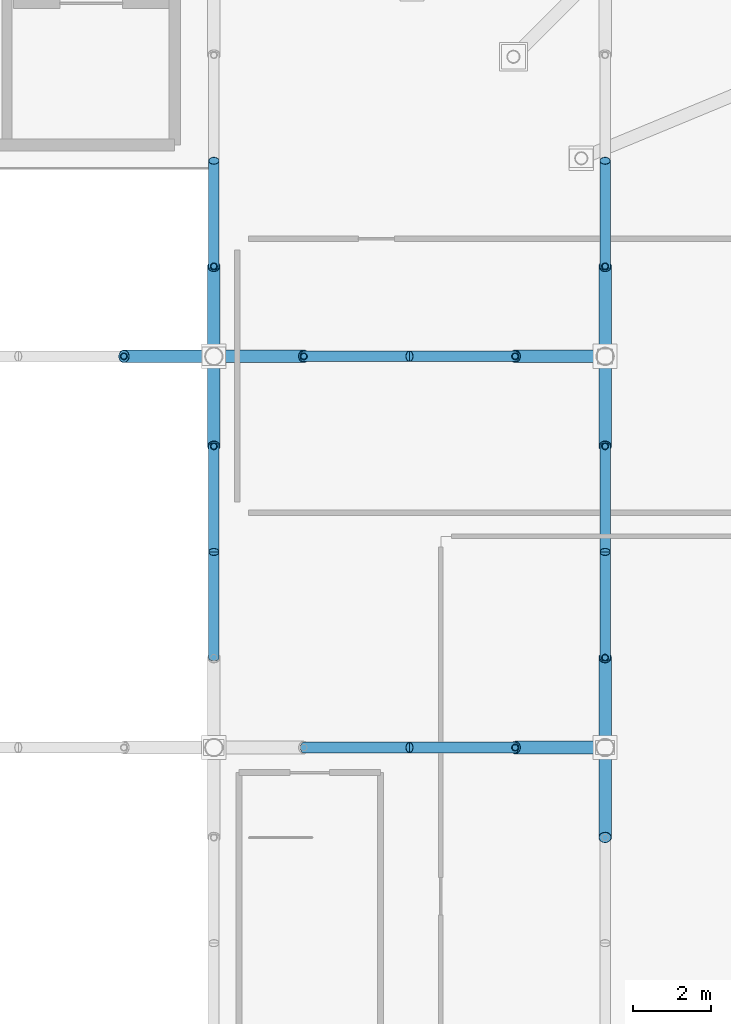
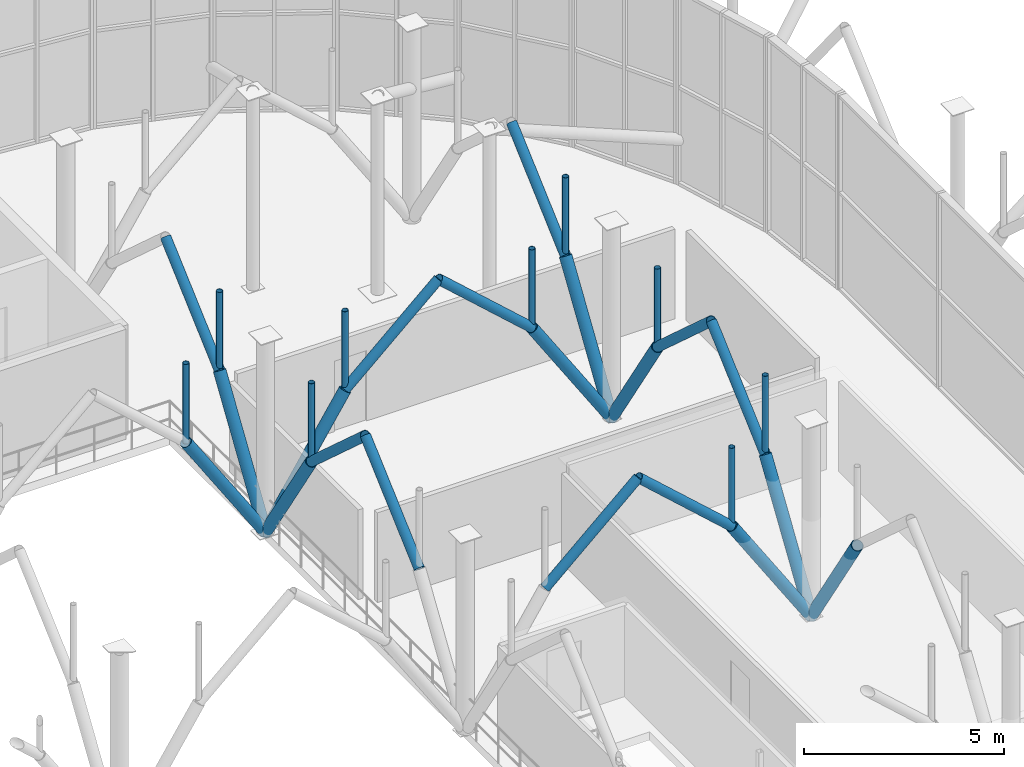
# One storey, part 74 of 109: 29 members.
"""IFC4 building model written with IfcOpenShell, lengths in metres."""

from ifc_helpers import new_model, si_unit, derived_unit, direction, frame, origin, origin_2d_with_axis, place, context, subcontext, project, spatial, hollow_circle, extrude, material, material_profile, profile_set, type_object, element, save


model = new_model("IFC4")

# Units and contexts
model_context = context("Model", 3, precision=1e-05, world=origin(), true_north=direction((0.0, 1.0)))
body_context = subcontext(model_context, "Body", "Model", "MODEL_VIEW")
ifc_project = project(units=[si_unit("LENGTHUNIT", "METRE"), si_unit("AREAUNIT", "SQUARE_METRE"), si_unit("VOLUMEUNIT", "CUBIC_METRE"), si_unit("PLANEANGLEUNIT", "RADIAN"), si_unit("MASSUNIT", "GRAM", prefix="KILO"), derived_unit("THERMALTRANSMITTANCEUNIT", [(si_unit("POWERUNIT", "WATT"), 1), (si_unit("LENGTHUNIT", "METRE"), -2), (si_unit("THERMODYNAMICTEMPERATUREUNIT", "KELVIN"), -1)])], contexts=[model_context])

# Site, building, storey
site_placement = place(None, origin())
site = spatial("IfcSite", under=ifc_project, at=site_placement, CompositionType="ELEMENT")
building_placement = place(site_placement, origin())
building = spatial("IfcBuilding", under=site, at=building_placement, Name="Cinnabar Yard Market Hall", CompositionType="ELEMENT")
storey_placement = place(building_placement, frame((0.0, 0.0, 8.39990234375)))
storey = spatial("IfcBuildingStorey", under=building, at=storey_placement, Name="L02", CompositionType="ELEMENT", Elevation=8.39990234375)

# Members
ifc_material_1 = material(Name="Spotted-gum glulam-clad steel Grade 350 (350 MPa)", Category="steel")
ifc_material_profile_1 = material_profile(ifc_material_1, hollow_circle(Radius=0.136474609375, WallThickness=0.00927734375, at=origin_2d_with_axis()), Name="273.1x9.3CHS")
ifc_profile_set_1 = profile_set([ifc_material_profile_1], Name="Spotted-gum glulam-clad steel Grade 350 (350 MPa)")
member_type_1 = type_object("IfcMemberType", Name="MB-AR01", PredefinedType="USERDEFINED", material=ifc_profile_set_1)
for number, where, z_axis, x_axis, name in (
    (1, (148.300048828125, 44.0, 3.550048828125), (0.743297488271, 0.0, 0.668961018244), (0.0, 1.0, 0.0), "Pointed Arch Rib 0122"),
    (2, (146.0, 46.300048828125, 3.550048828125), (0.0, 0.743297488271, 0.668961018244), (-1.0, 0.0, 0.0), "Pointed Arch Rib 0124"),
    (3, (148.300048828125, 54.0, 3.550048828125), (0.743297488271, 0.0, 0.668961018244), (0.0, 1.0, 0.0), "Pointed Arch Rib 0126"),
    (4, (146.0, 56.300048828125, 3.550048828125), (0.0, 0.743297488271, 0.668961018244), (-1.0, 0.0, 0.0), "Pointed Arch Rib 0128"),
    (5, (146.0, 51.699951171875, 3.550048828125), (0.0, -0.743297488271, 0.668961018244), (1.0, 0.0, 0.0), "Pointed Arch Rib 0129"),
    (6, (153.699951171875, 44.0, 3.550048828125), (-0.743297488271, 0.0, 0.668961018244), (0.0, -1.0, 0.0), "Pointed Arch Rib 0137"),
    (7, (156.0, 46.300048828125, 3.550048828125), (0.0, 0.743297488271, 0.668961018244), (-1.0, 0.0, 0.0), "Pointed Arch Rib 0138"),
    (8, (153.699951171875, 54.0, 3.550048828125), (-0.743297488271, 0.0, 0.668961018244), (0.0, -1.0, 0.0), "Pointed Arch Rib 0140"),
    (9, (156.0, 56.300048828125, 3.550048828125), (0.0, 0.743297488271, 0.668961018244), (-1.0, 0.0, 0.0), "Pointed Arch Rib 0141"),
    (10, (156.0, 51.699951171875, 3.550048828125), (0.0, -0.743297488271, 0.668961018244), (1.0, 0.0, 0.0), "Pointed Arch Rib 0142"),
):
    element("IfcMember", number, at=place(storey_placement, frame(where, z_axis=z_axis, x_axis=x_axis)), inside=storey, type_object=member_type_1, Name=name, ObjectType="ARCH RIB", PredefinedType="USERDEFINED", context=body_context, shape_type="SweptSolid", body=[
        extrude(hollow_circle(Radius=0.136474609375, WallThickness=0.00927734375, at=origin_2d_with_axis()), origin(), (0.0, 0.0, 1.0), 3.63232421875),
    ])
ifc_material_profile_2 = material_profile(ifc_material_1, hollow_circle(Radius=0.161865234375, WallThickness=0.009521484375, at=origin_2d_with_axis()), Name="323.9x9.5CHS")
ifc_profile_set_2 = profile_set([ifc_material_profile_2], Name="Spotted-gum glulam-clad steel Grade 350 (350 MPa)")
member_type_2 = type_object("IfcMemberType", Name="MB-ST01", PredefinedType="STRUT", material=ifc_profile_set_2)
for number, where, z_axis, x_axis, name in (
    (11, (146.0, 54.0, 0.0), (0.543744165176, 0.0, 0.839251024925), (0.0, 1.0, 0.0), "Curved Branch Arm Lower 0126"),
    (12, (146.0, 54.0, 0.0), (-0.543744165176, 0.0, 0.839251024925), (0.0, -1.0, 0.0), "Curved Branch Arm Lower 0127"),
    (13, (146.0, 54.0, 0.0), (0.0, 0.543744165176, 0.839251024925), (-1.0, 0.0, 0.0), "Curved Branch Arm Lower 0128"),
    (14, (146.0, 54.0, 0.0), (0.0, -0.543744165176, 0.839251024925), (1.0, 0.0, 0.0), "Curved Branch Arm Lower 0129"),
    (15, (156.0, 44.0, 0.0), (-0.543744165176, 0.0, 0.839251024925), (0.0, -1.0, 0.0), "Curved Branch Arm Lower 0137"),
    (16, (156.0, 44.0, 0.0), (0.0, 0.543744165176, 0.839251024925), (-1.0, 0.0, 0.0), "Curved Branch Arm Lower 0138"),
    (17, (156.0, 44.0, 0.0), (0.0, -0.543744165176, 0.839251024925), (1.0, 0.0, 0.0), "Curved Branch Arm Lower 0139"),
    (18, (156.0, 54.0, 0.0), (-0.543744165176, 0.0, 0.839251024925), (0.0, -1.0, 0.0), "Curved Branch Arm Lower 0140"),
    (19, (156.0, 54.0, 0.0), (0.0, 0.543744165176, 0.839251024925), (-1.0, 0.0, 0.0), "Curved Branch Arm Lower 0141"),
    (20, (156.0, 54.0, 0.0), (0.0, -0.543744165176, 0.839251024925), (1.0, 0.0, 0.0), "Curved Branch Arm Lower 0142"),
):
    element("IfcMember", number, at=place(storey_placement, frame(where, z_axis=z_axis, x_axis=x_axis)), inside=storey, type_object=member_type_2, Name=name, PredefinedType="STRUT", context=body_context, shape_type="SweptSolid", body=[
        extrude(hollow_circle(Radius=0.161865234375, WallThickness=0.009521484375, at=origin_2d_with_axis()), origin(), (0.0, 0.0, 1.0), 4.22998046875),
    ])
ifc_material_2 = material(Name="Cold-formed steel C350L0", Category="steel")
ifc_material_profile_3 = material_profile(ifc_material_2, hollow_circle(Radius=0.084228515625, WallThickness=0.00634765625, at=origin_2d_with_axis()), Name="168.3x6.4CHS")
ifc_profile_set_3 = profile_set([ifc_material_profile_3], Name="Cold-formed steel C350L0")
member_type_3 = type_object("IfcMemberType", Name="MB-WB01", PredefinedType="STRUT", material=ifc_profile_set_3)
for number, where, z_axis, x_axis, name in (
    (21, (148.300048828125, 54.0, 3.550048828125), (0.0, 0.0, 1.0), (1.0, 0.0, 0.0), "Arch Spandrel Post 0126"),
    (22, (143.699951171875, 54.0, 3.550048828125), (0.0, 0.0, 1.0), (1.0, 0.0, 0.0), "Arch Spandrel Post 0127"),
    (23, (146.0, 56.300048828125, 3.550048828125), (0.0, 0.0, 1.0), (1.0, 0.0, 0.0), "Arch Spandrel Post 0128"),
    (24, (146.0, 51.699951171875, 3.550048828125), (0.0, 0.0, 1.0), (1.0, 0.0, 0.0), "Arch Spandrel Post 0129"),
    (25, (153.699951171875, 44.0, 3.550048828125), (0.0, 0.0, 1.0), (1.0, 0.0, 0.0), "Arch Spandrel Post 0137"),
    (26, (156.0, 46.300048828125, 3.550048828125), (0.0, 0.0, 1.0), (1.0, 0.0, 0.0), "Arch Spandrel Post 0138"),
    (27, (153.699951171875, 54.0, 3.550048828125), (0.0, 0.0, 1.0), (1.0, 0.0, 0.0), "Arch Spandrel Post 0140"),
    (28, (156.0, 56.300048828125, 3.550048828125), (0.0, 0.0, 1.0), (1.0, 0.0, 0.0), "Arch Spandrel Post 0141"),
    (29, (156.0, 51.699951171875, 3.550048828125), (0.0, 0.0, 1.0), (1.0, 0.0, 0.0), "Arch Spandrel Post 0142"),
):
    element("IfcMember", number, at=place(storey_placement, frame(where, z_axis=z_axis, x_axis=x_axis)), inside=storey, type_object=member_type_3, Name=name, PredefinedType="STRUT", context=body_context, shape_type="SweptSolid", body=[
        extrude(hollow_circle(Radius=0.084228515625, WallThickness=0.00634765625, at=origin_2d_with_axis()), origin(), (0.0, 0.0, 1.0), 2.429931640625),
    ])

save(model, "model.ifc")
